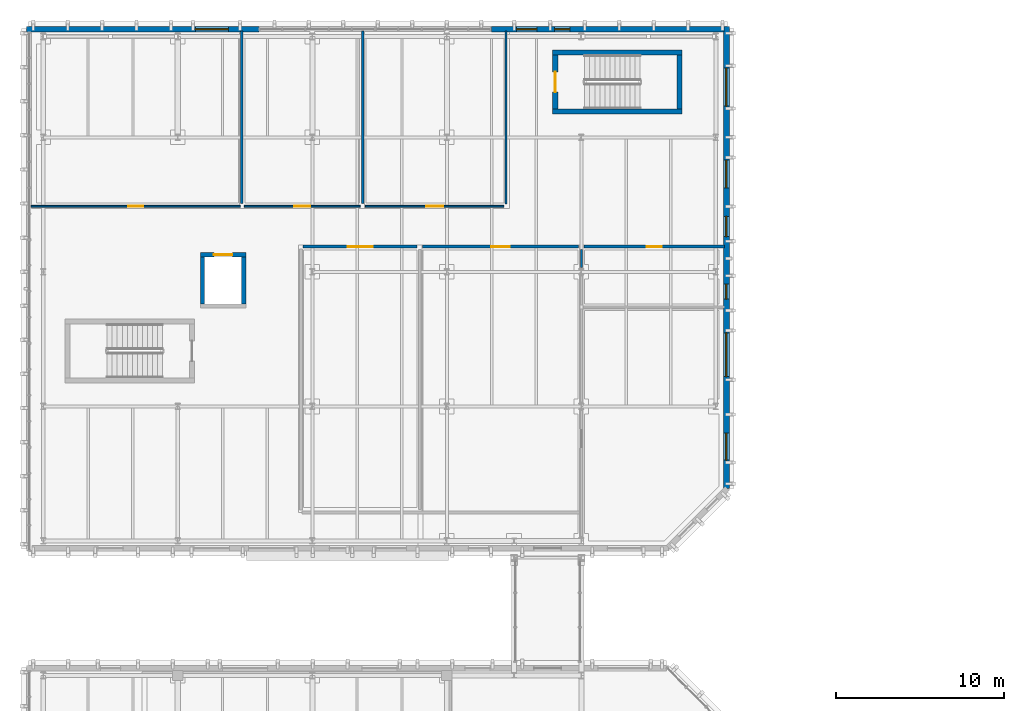
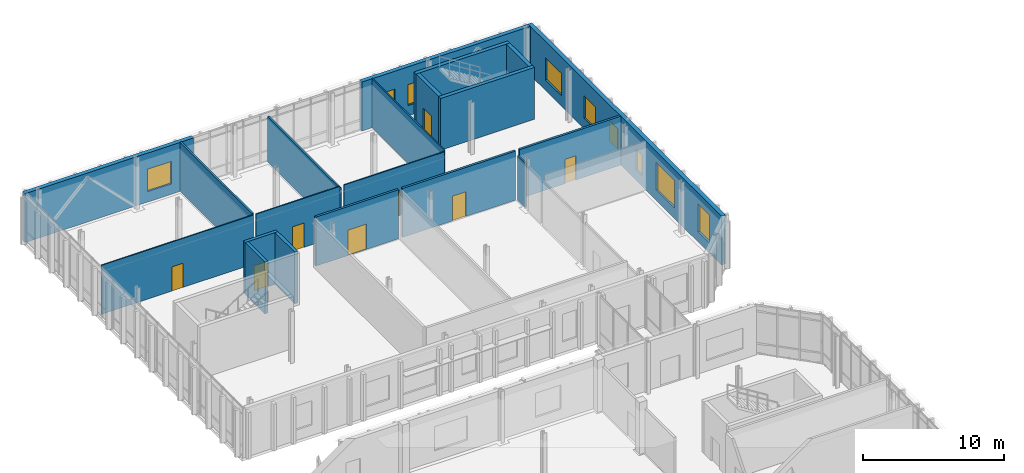
# One storey, part 64 of 86: 20 walls, 9 windows, 8 doors, 17 openings.
"""IFC4 building model written with IfcOpenShell, lengths in metres."""

from ifc_helpers import new_model, si_unit, direction, frame, frame_2d, origin, place, context, subcontext, project, spatial, rectangle, extrude, material, layer, layer_set, type_object, element, fill, save


model = new_model("IFC4")

# Units and contexts
model_context = context("Model", 3, precision=1e-05, world=origin(), true_north=direction((0.0, 1.0)))
body_context = subcontext(model_context, "Body", "Model", "MODEL_VIEW")
ifc_project = project(units=[si_unit("LENGTHUNIT", "METRE"), si_unit("AREAUNIT", "SQUARE_METRE"), si_unit("VOLUMEUNIT", "CUBIC_METRE"), si_unit("PLANEANGLEUNIT", "RADIAN"), si_unit("MASSUNIT", "GRAM", prefix="KILO")], contexts=[model_context])

# Site, building, storey
site_placement = place(None, origin())
site = spatial("IfcSite", under=ifc_project, at=site_placement, CompositionType="ELEMENT")
building_placement = place(site_placement, origin())
building = spatial("IfcBuilding", under=site, at=building_placement, Name="Cymarion Research Institute", CompositionType="ELEMENT")
storey_placement = place(building_placement, frame((0.0, 0.0, 13.800048828125)))
storey = spatial("IfcBuildingStorey", under=building, at=storey_placement, Name="L03", CompositionType="ELEMENT", Elevation=13.800048828125)

# Wall, openings, windows
ifc_material_1 = material(Name="Precast concrete C40/50", Category="concrete")
ifc_layer_1 = layer(ifc_material_1, 0.340087890625)
ifc_layer_set_1 = layer_set([ifc_layer_1], Name="Precast concrete C40/50")
wall_type_1 = type_object("IfcWallType", Name="EXTERIOR WALL EW-PC340 340MM", PredefinedType="SOLIDWALL", material=ifc_layer_set_1)
wall_1_placement = place(storey_placement, frame((47.22998046875, 88.622802734375, 0.0), z_axis=(0.0, 0.0, 1.0), x_axis=(0.0, 1.0, 0.0)))
wall_1 = element("IfcWall", 1, at=wall_1_placement, inside=storey, type_object=wall_type_1, Name="L03 V5 exterior wall EW-PC340 #192", PredefinedType="SOLIDWALL", context=body_context, shape_type="SweptSolid", body=[
    extrude(rectangle(XDim=27.477294921875, YDim=0.340087890625, at=frame_2d((13.73876953125, 0.0))), origin(), (0.0, 0.0, 1.0), 4.25),
])
opening_1_placement = place(wall_1_placement, frame((1.68896484375, 0.0, 0.89990234375)))
opening_1 = element("IfcOpeningElement", 2, at=opening_1_placement, cuts=wall_1, Name="Opening W20", PredefinedType="OPENING", context=body_context, shape_type="SweptSolid", body=[
    extrude(rectangle(XDim=1.60009765625, YDim=2.39990234375, at=frame_2d((0.800048828125, 1.199951171875))), frame((0.0, 0.179931640625, 0.0), z_axis=(0.0, -1.0, 0.0), x_axis=(1.0, 0.0, 0.0)), (0.0, 0.0, 1.0), 0.360107421875),
])
opening_2_placement = place(wall_1_placement, frame((6.64697265625, 0.0, 0.89990234375)))
opening_2 = element("IfcOpeningElement", 3, at=opening_2_placement, cuts=wall_1, Name="Opening W22", PredefinedType="OPENING", context=body_context, shape_type="SweptSolid", body=[
    extrude(rectangle(XDim=2.60009765625, YDim=2.39990234375, at=frame_2d((1.300048828125, 1.199951171875))), frame((0.0, 0.179931640625, 0.0), z_axis=(0.0, -1.0, 0.0), x_axis=(1.0, 0.0, 0.0)), (0.0, 0.0, 1.0), 0.360107421875),
])
opening_3_placement = place(wall_1_placement, frame((11.257080078125, 0.0, 0.89990234375)))
opening_3 = element("IfcOpeningElement", 4, at=opening_3_placement, cuts=wall_1, Name="Opening W24", PredefinedType="OPENING", context=body_context, shape_type="SweptSolid", body=[
    extrude(rectangle(XDim=0.89990234375, YDim=1.800048828125, at=frame_2d((0.449951171875, 0.89990234375))), frame((0.0, 0.179931640625, 0.0), z_axis=(0.0, -1.0, 0.0), x_axis=(1.0, 0.0, 0.0)), (0.0, 0.0, 1.0), 0.360107421875),
])
opening_4_placement = place(wall_1_placement, frame((14.97705078125, 0.0, 0.89990234375)))
opening_4 = element("IfcOpeningElement", 5, at=opening_4_placement, cuts=wall_1, Name="Opening W01", PredefinedType="OPENING", context=body_context, shape_type="SweptSolid", body=[
    extrude(rectangle(XDim=1.199951171875, YDim=1.800048828125, at=frame_2d((0.60009765625, 0.89990234375))), frame((0.0, 0.179931640625, 0.0), z_axis=(0.0, -1.0, 0.0), x_axis=(1.0, 0.0, 0.0)), (0.0, 0.0, 1.0), 0.360107421875),
])
opening_5_placement = place(wall_1_placement, frame((17.882080078125, 0.0, 0.89990234375)))
opening_5 = element("IfcOpeningElement", 6, at=opening_5_placement, cuts=wall_1, Name="Opening W28", PredefinedType="OPENING", context=body_context, shape_type="SweptSolid", body=[
    extrude(rectangle(XDim=1.64990234375, YDim=1.949951171875, at=frame_2d((0.824951171875, 0.97509765625))), frame((0.0, 0.179931640625, 0.0), z_axis=(0.0, -1.0, 0.0), x_axis=(1.0, 0.0, 0.0)), (0.0, 0.0, 1.0), 0.360107421875),
])
opening_6_placement = place(wall_1_placement, frame((22.741943359375, 0.0, 0.89990234375)))
opening_6 = element("IfcOpeningElement", 7, at=opening_6_placement, cuts=wall_1, Name="Opening W30", PredefinedType="OPENING", context=body_context, shape_type="SweptSolid", body=[
    extrude(rectangle(XDim=2.25, YDim=1.949951171875, at=frame_2d((1.125, 0.97509765625))), frame((0.0, 0.179931640625, 0.0), z_axis=(0.0, -1.0, 0.0), x_axis=(1.0, 0.0, 0.0)), (0.0, 0.0, 1.0), 0.360107421875),
])
ifc_material_2 = material(Name="Thermally broken aluminium window with Low-E glazing", Category="aluminium")
window_type_1 = type_object("IfcWindowType", Name="THERMALLY BROKEN ALUMINIUM WINDOW W01 1200X1800", PartitioningType="SINGLE_PANEL", PredefinedType="WINDOW", material=ifc_material_2)
window_1_placement = place(opening_4_placement, origin())
window_1 = element("IfcWindow", 8, at=window_1_placement, inside=storey, type_object=window_type_1, Name="L03 V5 facade window W01 #357", OverallHeight=1.800048828125, OverallWidth=1.199951171875, PartitioningType="SINGLE_PANEL", PredefinedType="WINDOW", context=body_context, shape_type="SweptSolid", body=[
    extrude(rectangle(XDim=1.199951171875, YDim=1.800048828125, at=frame_2d((0.60009765625, 0.89990234375))), frame((0.0, 0.030029296875, 0.0), z_axis=(0.0, -1.0, 0.0), x_axis=(1.0, 0.0, 0.0)), (0.0, 0.0, 1.0), 0.06005859375),
])
fill(opening_4, window_1)
window_type_2 = type_object("IfcWindowType", Name="THERMALLY BROKEN ALUMINIUM WINDOW W20 1600X2400", PartitioningType="DOUBLE_PANEL_VERTICAL", PredefinedType="WINDOW", material=ifc_material_2)
window_2_placement = place(opening_1_placement, origin())
window_2 = element("IfcWindow", 9, at=window_2_placement, inside=storey, type_object=window_type_2, Name="L03 V5 facade window W20 #354", OverallHeight=2.39990234375, OverallWidth=1.60009765625, PartitioningType="SINGLE_PANEL", PredefinedType="WINDOW", context=body_context, shape_type="SweptSolid", body=[
    extrude(rectangle(XDim=1.60009765625, YDim=2.39990234375, at=frame_2d((0.800048828125, 1.199951171875))), frame((0.0, 0.030029296875, 0.0), z_axis=(0.0, -1.0, 0.0), x_axis=(1.0, 0.0, 0.0)), (0.0, 0.0, 1.0), 0.06005859375),
])
fill(opening_1, window_2)
window_type_3 = type_object("IfcWindowType", Name="THERMALLY BROKEN ALUMINIUM WINDOW W22 2600X2400", PartitioningType="TRIPLE_PANEL_VERTICAL", PredefinedType="WINDOW", material=ifc_material_2)
window_3_placement = place(opening_2_placement, origin())
window_3 = element("IfcWindow", 10, at=window_3_placement, inside=storey, type_object=window_type_3, Name="L03 V5 facade window W22 #355", OverallHeight=2.39990234375, OverallWidth=2.60009765625, PartitioningType="SINGLE_PANEL", PredefinedType="WINDOW", context=body_context, shape_type="SweptSolid", body=[
    extrude(rectangle(XDim=2.60009765625, YDim=2.39990234375, at=frame_2d((1.300048828125, 1.199951171875))), frame((0.0, 0.030029296875, 0.0), z_axis=(0.0, -1.0, 0.0), x_axis=(1.0, 0.0, 0.0)), (0.0, 0.0, 1.0), 0.06005859375),
])
fill(opening_2, window_3)
window_type_4 = type_object("IfcWindowType", Name="THERMALLY BROKEN ALUMINIUM WINDOW W24 900X1800", PartitioningType="SINGLE_PANEL", PredefinedType="WINDOW", material=ifc_material_2)
window_4_placement = place(opening_3_placement, origin())
window_4 = element("IfcWindow", 11, at=window_4_placement, inside=storey, type_object=window_type_4, Name="L03 V5 facade window W24 #356", OverallHeight=1.800048828125, OverallWidth=0.89990234375, PartitioningType="SINGLE_PANEL", PredefinedType="WINDOW", context=body_context, shape_type="SweptSolid", body=[
    extrude(rectangle(XDim=0.89990234375, YDim=1.800048828125, at=frame_2d((0.449951171875, 0.89990234375))), frame((0.0, 0.030029296875, 0.0), z_axis=(0.0, -1.0, 0.0), x_axis=(1.0, 0.0, 0.0)), (0.0, 0.0, 1.0), 0.06005859375),
])
fill(opening_3, window_4)
window_type_5 = type_object("IfcWindowType", Name="THERMALLY BROKEN ALUMINIUM WINDOW W28 1650X1950", PartitioningType="DOUBLE_PANEL_VERTICAL", PredefinedType="WINDOW", material=ifc_material_2)
window_5_placement = place(opening_5_placement, origin())
window_5 = element("IfcWindow", 12, at=window_5_placement, inside=storey, type_object=window_type_5, Name="L03 V5 facade window W28 #358", OverallHeight=1.949951171875, OverallWidth=1.64990234375, PartitioningType="SINGLE_PANEL", PredefinedType="WINDOW", context=body_context, shape_type="SweptSolid", body=[
    extrude(rectangle(XDim=1.64990234375, YDim=1.949951171875, at=frame_2d((0.824951171875, 0.97509765625))), frame((0.0, 0.030029296875, 0.0), z_axis=(0.0, -1.0, 0.0), x_axis=(1.0, 0.0, 0.0)), (0.0, 0.0, 1.0), 0.06005859375),
])
fill(opening_5, window_5)
window_type_6 = type_object("IfcWindowType", Name="THERMALLY BROKEN ALUMINIUM WINDOW W30 2250X1950", PartitioningType="DOUBLE_PANEL_VERTICAL", PredefinedType="WINDOW", material=ifc_material_2)
window_6_placement = place(opening_6_placement, origin())
window_6 = element("IfcWindow", 13, at=window_6_placement, inside=storey, type_object=window_type_6, Name="L03 V5 facade window W30 #359", OverallHeight=1.949951171875, OverallWidth=2.25, PartitioningType="SINGLE_PANEL", PredefinedType="WINDOW", context=body_context, shape_type="SweptSolid", body=[
    extrude(rectangle(XDim=2.25, YDim=1.949951171875, at=frame_2d((1.125, 0.97509765625))), frame((0.0, 0.030029296875, 0.0), z_axis=(0.0, -1.0, 0.0), x_axis=(1.0, 0.0, 0.0)), (0.0, 0.0, 1.0), 0.06005859375),
])
fill(opening_6, window_6)

wall_2_placement = place(storey_placement, frame((47.077880859375, 115.929931640625, 0.0), z_axis=(0.0, 0.0, 1.0), x_axis=(-1.0, 0.0, 0.0)))
wall_2 = element("IfcWall", 14, at=wall_2_placement, inside=storey, type_object=wall_type_1, Name="L03 V5 facade pier wall EW-PC340 #193", PredefinedType="SOLIDWALL", context=body_context, shape_type="SweptSolid", body=[
    extrude(rectangle(XDim=13.825927734375, YDim=0.340087890625, at=frame_2d((6.9130859375, 0.0))), origin(), (0.0, 0.0, 1.0), 4.25),
])
opening_7_placement = place(wall_2_placement, frame((9.157958984375, 0.0, 0.89990234375)))
opening_7 = element("IfcOpeningElement", 15, at=opening_7_placement, cuts=wall_2, Name="Opening W24", PredefinedType="OPENING", context=body_context, shape_type="SweptSolid", body=[
    extrude(rectangle(XDim=0.89990234375, YDim=1.800048828125, at=frame_2d((0.449951171875, 0.89990234375))), frame((0.0, 0.179931640625, 0.0), z_axis=(0.0, -1.0, 0.0), x_axis=(1.0, 0.0, 0.0)), (0.0, 0.0, 1.0), 0.360107421875),
])
opening_8_placement = place(wall_2_placement, frame((11.117919921875, 0.0, 0.89990234375)))
opening_8 = element("IfcOpeningElement", 16, at=opening_8_placement, cuts=wall_2, Name="Opening W01", PredefinedType="OPENING", context=body_context, shape_type="SweptSolid", body=[
    extrude(rectangle(XDim=1.199951171875, YDim=1.800048828125, at=frame_2d((0.60009765625, 0.89990234375))), frame((0.0, 0.179931640625, 0.0), z_axis=(0.0, -1.0, 0.0), x_axis=(1.0, 0.0, 0.0)), (0.0, 0.0, 1.0), 0.360107421875),
])
window_7_placement = place(opening_8_placement, origin())
window_7 = element("IfcWindow", 17, at=window_7_placement, inside=storey, type_object=window_type_1, Name="L03 V5 facade window W01 #361", OverallHeight=1.800048828125, OverallWidth=1.199951171875, PartitioningType="SINGLE_PANEL", PredefinedType="WINDOW", context=body_context, shape_type="SweptSolid", body=[
    extrude(rectangle(XDim=1.199951171875, YDim=1.800048828125, at=frame_2d((0.60009765625, 0.89990234375))), frame((0.0, 0.030029296875, 0.0), z_axis=(0.0, -1.0, 0.0), x_axis=(1.0, 0.0, 0.0)), (0.0, 0.0, 1.0), 0.06005859375),
])
fill(opening_8, window_7)
window_8_placement = place(opening_7_placement, origin())
window_8 = element("IfcWindow", 18, at=window_8_placement, inside=storey, type_object=window_type_4, Name="L03 V5 facade window W24 #360", OverallHeight=1.800048828125, OverallWidth=0.89990234375, PartitioningType="SINGLE_PANEL", PredefinedType="WINDOW", context=body_context, shape_type="SweptSolid", body=[
    extrude(rectangle(XDim=0.89990234375, YDim=1.800048828125, at=frame_2d((0.449951171875, 0.89990234375))), frame((0.0, 0.030029296875, 0.0), z_axis=(0.0, -1.0, 0.0), x_axis=(1.0, 0.0, 0.0)), (0.0, 0.0, 1.0), 0.06005859375),
])
fill(opening_7, window_8)

# Wall, opening, window
wall_3_placement = place(storey_placement, frame((19.426025390625, 115.929931640625, 0.0), z_axis=(0.0, 0.0, 1.0), x_axis=(-1.0, 0.0, 0.0)))
wall_3 = element("IfcWall", 19, at=wall_3_placement, inside=storey, type_object=wall_type_1, Name="L03 V5 facade pier wall EW-PC340 #194", PredefinedType="SOLIDWALL", context=body_context, shape_type="SweptSolid", body=[
    extrude(rectangle(XDim=13.825927734375, YDim=0.340087890625, at=frame_2d((6.9130859375, 0.0))), origin(), (0.0, 0.0, 1.0), 4.25),
])
opening_9_placement = place(wall_3_placement, frame((1.821044921875, 0.0, 0.89990234375)))
opening_9 = element("IfcOpeningElement", 20, at=opening_9_placement, cuts=wall_3, Name="Opening W29", PredefinedType="OPENING", context=body_context, shape_type="SweptSolid", body=[
    extrude(rectangle(XDim=1.949951171875, YDim=1.949951171875, at=frame_2d((0.97509765625, 0.97509765625))), frame((0.0, 0.179931640625, 0.0), z_axis=(0.0, -1.0, 0.0), x_axis=(1.0, 0.0, 0.0)), (0.0, 0.0, 1.0), 0.360107421875),
])
window_type_7 = type_object("IfcWindowType", Name="THERMALLY BROKEN ALUMINIUM WINDOW W29 1950X1950", PartitioningType="DOUBLE_PANEL_VERTICAL", PredefinedType="WINDOW", material=ifc_material_2)
window_9_placement = place(opening_9_placement, origin())
window_9 = element("IfcWindow", 21, at=window_9_placement, inside=storey, type_object=window_type_7, Name="L03 V5 facade window W29 #362", OverallHeight=1.949951171875, OverallWidth=1.949951171875, PartitioningType="SINGLE_PANEL", PredefinedType="WINDOW", context=body_context, shape_type="SweptSolid", body=[
    extrude(rectangle(XDim=1.949951171875, YDim=1.949951171875, at=frame_2d((0.97509765625, 0.97509765625))), frame((0.0, 0.030029296875, 0.0), z_axis=(0.0, -1.0, 0.0), x_axis=(1.0, 0.0, 0.0)), (0.0, 0.0, 1.0), 0.06005859375),
])
fill(opening_9, window_9)

# Walls
ifc_material_3 = material(Name="Gypsum acoustic double-stud partition", Category="gypsum")
ifc_layer_2 = layer(ifc_material_3, 0.14990234375)
ifc_layer_set_2 = layer_set([ifc_layer_2], Name="Gypsum acoustic double-stud partition")
wall_type_2 = type_object("IfcWallType", Name="INTERIOR PARTITION IW-AC150 150MM", PredefinedType="PARTITIONING", material=ifc_layer_set_2)
wall_4_placement = place(storey_placement, frame((18.39990234375, 105.56005859375, 0.0), z_axis=(0.0, 0.0, 1.0), x_axis=(0.0, 1.0, 0.0)))
element("IfcWall", 22, at=wall_4_placement, inside=storey, type_object=wall_type_2, Name="L03 V5 interior partition IW-AC150 #260", PredefinedType="PARTITIONING", context=body_context, shape_type="SweptSolid", body=[
    extrude(rectangle(XDim=10.2548828125, YDim=0.14990234375, at=frame_2d((5.12744140625, 0.0))), origin(), (0.0, 0.0, 1.0), 4.25),
])
wall_5_placement = place(storey_placement, frame((25.60009765625, 105.56005859375, 0.0), z_axis=(0.0, 0.0, 1.0), x_axis=(0.0, 1.0, 0.0)))
element("IfcWall", 23, at=wall_5_placement, inside=storey, type_object=wall_type_2, Name="L03 V5 interior partition IW-AC150 #261", PredefinedType="PARTITIONING", context=body_context, shape_type="SweptSolid", body=[
    extrude(rectangle(XDim=10.2548828125, YDim=0.14990234375, at=frame_2d((5.12744140625, 0.0))), origin(), (0.0, 0.0, 1.0), 3.949951171875),
])
ifc_material_4 = material(Name="Framed acoustic glass laboratory screen", Category="glass")
ifc_layer_3 = layer(ifc_material_4, 0.10009765625)
ifc_layer_set_3 = layer_set([ifc_layer_3], Name="Framed acoustic glass laboratory screen")
wall_type_3 = type_object("IfcWallType", Name="INTERIOR PARTITION IW-GL100 100MM", PredefinedType="PARTITIONING", material=ifc_layer_set_3)
wall_6_placement = place(storey_placement, frame((34.1201171875, 105.5400390625, 0.0), z_axis=(0.0, 0.0, 1.0), x_axis=(0.0, 1.0, 0.0)))
element("IfcWall", 24, at=wall_6_placement, inside=storey, type_object=wall_type_3, Name="L03 V5 interior partition IW-GL100 #262", PredefinedType="PARTITIONING", context=body_context, shape_type="SweptSolid", body=[
    extrude(rectangle(XDim=10.27490234375, YDim=0.10009765625, at=frame_2d((5.137451171875, 0.0))), origin(), (0.0, 0.0, 1.0), 4.25),
])

# Wall, opening, door
wall_7_placement = place(storey_placement, frame((5.885009765625, 105.39990234375, 0.0), z_axis=(0.0, 0.0, 1.0), x_axis=(1.0, 0.0, 0.0)))
wall_7 = element("IfcWall", 25, at=wall_7_placement, inside=storey, type_object=wall_type_3, Name="L03 V5 interior partition IW-GL100 #263", PredefinedType="PARTITIONING", context=body_context, shape_type="SweptSolid", body=[
    extrude(rectangle(XDim=12.43505859375, YDim=0.10009765625, at=frame_2d((6.217529296875, 0.0))), origin(), (0.0, 0.0, 1.0), 4.25),
])
opening_10_placement = place(wall_7_placement, frame((5.76708984375, 0.0, 0.0)))
opening_10 = element("IfcOpeningElement", 26, at=opening_10_placement, cuts=wall_7, Name="Opening D-L03-168", PredefinedType="OPENING", context=body_context, shape_type="SweptSolid", body=[
    extrude(rectangle(XDim=0.89990234375, YDim=2.10009765625, at=frame_2d((0.449951171875, 1.050048828125))), frame((0.0, 0.06005859375, 0.0), z_axis=(0.0, -1.0, 0.0), x_axis=(1.0, 0.0, 0.0)), (0.0, 0.0, 1.0), 0.1201171875),
])
ifc_material_5 = material(Name="Flush acoustic timber/steel door assembly", Category="steel")
door_type_1 = type_object("IfcDoorType", Name="RESEARCH WRITE-UP OFFICE DOOR DT-OF090 900X2100", OperationType="NOTDEFINED", PredefinedType="DOOR", material=ifc_material_5)
door_1_placement = place(opening_10_placement, origin())
door_1 = element("IfcDoor", 27, at=door_1_placement, inside=storey, type_object=door_type_1, Name="L03 Faculty Office W door D-L03-168", OperationType="SINGLE_SWING_LEFT", OverallHeight=2.10009765625, OverallWidth=0.89990234375, PredefinedType="DOOR", context=body_context, shape_type="SweptSolid", body=[
    extrude(rectangle(XDim=0.89990234375, YDim=2.10009765625, at=frame_2d((0.449951171875, 1.050048828125))), frame((0.0, 0.02490234375, 0.0), z_axis=(0.0, -1.0, 0.0), x_axis=(1.0, 0.0, 0.0)), (0.0, 0.0, 1.0), 0.050048828125),
])
fill(opening_10, door_1)

wall_8_placement = place(storey_placement, frame((18.56005859375, 105.39990234375, 0.0), z_axis=(0.0, 0.0, 1.0), x_axis=(1.0, 0.0, 0.0)))
wall_8 = element("IfcWall", 28, at=wall_8_placement, inside=storey, type_object=wall_type_3, Name="L03 V5 interior partition IW-GL100 #264", PredefinedType="PARTITIONING", context=body_context, shape_type="SweptSolid", body=[
    extrude(rectangle(XDim=6.8798828125, YDim=0.10009765625, at=frame_2d((3.43994140625, 0.0))), origin(), (0.0, 0.0, 1.0), 4.25),
])
opening_11_placement = place(wall_8_placement, frame((2.965087890625, 0.0, 0.0)))
opening_11 = element("IfcOpeningElement", 29, at=opening_11_placement, cuts=wall_8, Name="Opening D-L03-169", PredefinedType="OPENING", context=body_context, shape_type="SweptSolid", body=[
    extrude(rectangle(XDim=0.949951171875, YDim=2.10009765625, at=frame_2d((0.47509765625, 1.050048828125))), frame((0.0, 0.06005859375, 0.0), z_axis=(0.0, -1.0, 0.0), x_axis=(1.0, 0.0, 0.0)), (0.0, 0.0, 1.0), 0.1201171875),
])
door_type_2 = type_object("IfcDoorType", Name="FACULTY STUDY DOOR DT-OF095 950X2100", OperationType="NOTDEFINED", PredefinedType="DOOR", material=ifc_material_5)
door_2_placement = place(opening_11_placement, origin())
door_2 = element("IfcDoor", 30, at=door_2_placement, inside=storey, type_object=door_type_2, Name="L03 Postdoc Write-Up door D-L03-169", OperationType="SINGLE_SWING_RIGHT", OverallHeight=2.10009765625, OverallWidth=0.949951171875, PredefinedType="DOOR", context=body_context, shape_type="SweptSolid", body=[
    extrude(rectangle(XDim=0.949951171875, YDim=2.10009765625, at=frame_2d((0.47509765625, 1.050048828125))), frame((0.0, 0.02490234375, 0.0), z_axis=(0.0, -1.0, 0.0), x_axis=(1.0, 0.0, 0.0)), (0.0, 0.0, 1.0), 0.050048828125),
])
fill(opening_11, door_2)

wall_9_placement = place(storey_placement, frame((25.760009765625, 105.39990234375, 0.0), z_axis=(0.0, 0.0, 1.0), x_axis=(1.0, 0.0, 0.0)))
wall_9 = element("IfcWall", 31, at=wall_9_placement, inside=storey, type_object=wall_type_3, Name="L03 V5 interior partition IW-GL100 #265", PredefinedType="PARTITIONING", context=body_context, shape_type="SweptSolid", body=[
    extrude(rectangle(XDim=8.239990234375, YDim=0.10009765625, at=frame_2d((4.1201171875, 0.0))), origin(), (0.0, 0.0, 1.0), 4.25),
])
opening_12_placement = place(wall_9_placement, frame((3.6201171875, 0.0, 0.0)))
opening_12 = element("IfcOpeningElement", 32, at=opening_12_placement, cuts=wall_9, Name="Opening D-L03-170", PredefinedType="OPENING", context=body_context, shape_type="SweptSolid", body=[
    extrude(rectangle(XDim=1.0, YDim=2.14990234375, at=frame_2d((0.5, 1.074951171875))), frame((0.0, 0.06005859375, 0.0), z_axis=(0.0, -1.0, 0.0), x_axis=(1.0, 0.0, 0.0)), (0.0, 0.0, 1.0), 0.1201171875),
])
door_type_3 = type_object("IfcDoorType", Name="LABORATORY SINGLE LEAF DOOR DT-LB100 1000X2150", OperationType="NOTDEFINED", PredefinedType="DOOR", material=ifc_material_5)
door_3_placement = place(opening_12_placement, origin())
door_3 = element("IfcDoor", 33, at=door_3_placement, inside=storey, type_object=door_type_3, Name="L03 AI Visualization Lab door D-L03-170", OperationType="SINGLE_SWING_LEFT", OverallHeight=2.14990234375, OverallWidth=1.0, PredefinedType="DOOR", context=body_context, shape_type="SweptSolid", body=[
    extrude(rectangle(XDim=1.0, YDim=2.14990234375, at=frame_2d((0.5, 1.074951171875))), frame((0.0, 0.02490234375, 0.0), z_axis=(0.0, -1.0, 0.0), x_axis=(1.0, 0.0, 0.0)), (0.0, 0.0, 1.0), 0.050048828125),
])
fill(opening_12, door_3)

ifc_material_6 = material(Name="Moisture-resistant laboratory partition", Category="gypsum")
ifc_layer_4 = layer(ifc_material_6, 0.179931640625)
ifc_layer_set_4 = layer_set([ifc_layer_4], Name="Moisture-resistant laboratory partition")
wall_type_4 = type_object("IfcWallType", Name="INTERIOR PARTITION IW-LB180 180MM", PredefinedType="PARTITIONING", material=ifc_layer_set_4)
wall_10_placement = place(storey_placement, frame((22.050048828125, 103.0, 0.0), z_axis=(0.0, 0.0, 1.0), x_axis=(1.0, 0.0, 0.0)))
wall_10 = element("IfcWall", 34, at=wall_10_placement, inside=storey, type_object=wall_type_4, Name="L03 V5 interior partition IW-LB180 #257", PredefinedType="PARTITIONING", context=body_context, shape_type="SweptSolid", body=[
    extrude(rectangle(XDim=6.7900390625, YDim=0.179931640625, at=frame_2d((3.39501953125, 0.0))), origin(), (0.0, 0.0, 1.0), 4.25),
])
opening_13_placement = place(wall_10_placement, frame((2.64501953125, 0.0, 0.0)))
opening_13 = element("IfcOpeningElement", 35, at=opening_13_placement, cuts=wall_10, Name="Opening D-L03-165", PredefinedType="OPENING", context=body_context, shape_type="SweptSolid", body=[
    extrude(rectangle(XDim=1.5, YDim=2.199951171875, at=frame_2d((0.75, 1.10009765625))), frame((0.0, 0.099853515625, 0.0), z_axis=(0.0, -1.0, 0.0), x_axis=(1.0, 0.0, 0.0)), (0.0, 0.0, 1.0), 0.199951171875),
])
door_type_4 = type_object("IfcDoorType", Name="LABORATORY EQUIPMENT DOUBLE DOOR DT-LB150 1500X2200", OperationType="DOUBLE_DOOR_SINGLE_SWING", PredefinedType="DOOR", material=ifc_material_5)
door_4_placement = place(opening_13_placement, origin())
door_4 = element("IfcDoor", 36, at=door_4_placement, inside=storey, type_object=door_type_4, Name="L03 Dry Lab 1 door D-L03-165", OperationType="DOUBLE_DOOR_SINGLE_SWING", OverallHeight=2.199951171875, OverallWidth=1.5, PredefinedType="DOOR", context=body_context, shape_type="SweptSolid", body=[
    extrude(rectangle(XDim=1.5, YDim=2.199951171875, at=frame_2d((0.75, 1.10009765625))), frame((0.0, 0.02490234375, 0.0), z_axis=(0.0, -1.0, 0.0), x_axis=(1.0, 0.0, 0.0)), (0.0, 0.0, 1.0), 0.050048828125),
])
fill(opening_13, door_4)

wall_11_placement = place(storey_placement, frame((29.159912109375, 103.0, 0.0), z_axis=(0.0, 0.0, 1.0), x_axis=(1.0, 0.0, 0.0)))
wall_11 = element("IfcWall", 37, at=wall_11_placement, inside=storey, type_object=wall_type_4, Name="L03 V5 interior partition IW-LB180 #258", PredefinedType="PARTITIONING", context=body_context, shape_type="SweptSolid", body=[
    extrude(rectangle(XDim=9.280029296875, YDim=0.179931640625, at=frame_2d((4.64013671875, 0.0))), origin(), (0.0, 0.0, 1.0), 4.25),
])
opening_14_placement = place(wall_11_placement, frame((4.090087890625, 0.0, 0.0)))
opening_14 = element("IfcOpeningElement", 38, at=opening_14_placement, cuts=wall_11, Name="Opening D-L03-166", PredefinedType="OPENING", context=body_context, shape_type="SweptSolid", body=[
    extrude(rectangle(XDim=1.10009765625, YDim=2.14990234375, at=frame_2d((0.550048828125, 1.074951171875))), frame((0.0, 0.099853515625, 0.0), z_axis=(0.0, -1.0, 0.0), x_axis=(1.0, 0.0, 0.0)), (0.0, 0.0, 1.0), 0.199951171875),
])
door_type_5 = type_object("IfcDoorType", Name="LABORATORY WIDE SINGLE DOOR DT-LB110 1100X2150", OperationType="NOTDEFINED", PredefinedType="DOOR", material=ifc_material_5)
door_5_placement = place(opening_14_placement, origin())
door_5 = element("IfcDoor", 39, at=door_5_placement, inside=storey, type_object=door_type_5, Name="L03 Server Cluster door D-L03-166", OperationType="SINGLE_SWING_LEFT", OverallHeight=2.14990234375, OverallWidth=1.10009765625, PredefinedType="DOOR", context=body_context, shape_type="SweptSolid", body=[
    extrude(rectangle(XDim=1.10009765625, YDim=2.14990234375, at=frame_2d((0.550048828125, 1.074951171875))), frame((0.0, 0.02490234375, 0.0), z_axis=(0.0, -1.0, 0.0), x_axis=(1.0, 0.0, 0.0)), (0.0, 0.0, 1.0), 0.050048828125),
])
fill(opening_14, door_5)

wall_12_placement = place(storey_placement, frame((38.760009765625, 103.0, 0.0), z_axis=(0.0, 0.0, 1.0), x_axis=(1.0, 0.0, 0.0)))
wall_12 = element("IfcWall", 40, at=wall_12_placement, inside=storey, type_object=wall_type_4, Name="L03 V5 interior partition IW-LB180 #259", PredefinedType="PARTITIONING", context=body_context, shape_type="SweptSolid", body=[
    extrude(rectangle(XDim=8.35498046875, YDim=0.179931640625, at=frame_2d((4.177490234375, 0.0))), origin(), (0.0, 0.0, 1.0), 4.25),
])
opening_15_placement = place(wall_12_placement, frame((3.72802734375, 0.0, 0.0)))
opening_15 = element("IfcOpeningElement", 41, at=opening_15_placement, cuts=wall_12, Name="Opening D-L03-167", PredefinedType="OPENING", context=body_context, shape_type="SweptSolid", body=[
    extrude(rectangle(XDim=0.89990234375, YDim=2.10009765625, at=frame_2d((0.449951171875, 1.050048828125))), frame((0.0, 0.099853515625, 0.0), z_axis=(0.0, -1.0, 0.0), x_axis=(1.0, 0.0, 0.0)), (0.0, 0.0, 1.0), 0.199951171875),
])
door_type_6 = type_object("IfcDoorType", Name="ACCESSIBLE RESTROOM DOOR DT-WC090 900X2100", OperationType="NOTDEFINED", PredefinedType="DOOR", material=ifc_material_5)
door_6_placement = place(opening_15_placement, origin())
door_6 = element("IfcDoor", 42, at=door_6_placement, inside=storey, type_object=door_type_6, Name="L03 Restroom door D-L03-167", OperationType="SINGLE_SWING_RIGHT", OverallHeight=2.10009765625, OverallWidth=0.89990234375, PredefinedType="DOOR", context=body_context, shape_type="SweptSolid", body=[
    extrude(rectangle(XDim=0.89990234375, YDim=2.10009765625, at=frame_2d((0.449951171875, 1.050048828125))), frame((0.0, 0.02490234375, 0.0), z_axis=(0.0, -1.0, 0.0), x_axis=(1.0, 0.0, 0.0)), (0.0, 0.0, 1.0), 0.050048828125),
])
fill(opening_15, door_6)

# Wall
ifc_material_7 = material(Name="Service riser shaft wall", Category="gypsum")
ifc_layer_5 = layer(ifc_material_7, 0.1201171875)
ifc_layer_set_5 = layer_set([ifc_layer_5], Name="Service riser shaft wall")
wall_type_5 = type_object("IfcWallType", Name="INTERIOR PARTITION IW-SH120 120MM", PredefinedType="PARTITIONING", material=ifc_layer_set_5)
wall_13_placement = place(storey_placement, frame((38.60009765625, 101.75, 0.0), z_axis=(0.0, 0.0, 1.0), x_axis=(0.0, 1.0, 0.0)))
element("IfcWall", 43, at=wall_13_placement, inside=storey, type_object=wall_type_5, Name="L03 V5 interior partition IW-SH120 #256", PredefinedType="PARTITIONING", context=body_context, shape_type="SweptSolid", body=[
    extrude(rectangle(XDim=1.090087890625, YDim=0.1201171875, at=frame_2d((0.544921875, 0.0))), origin(), (0.0, 0.0, 1.0), 3.849853515625),
])

# Wall, opening, door
ifc_material_8 = material(Name="Concrete C40/50", Category="concrete")
ifc_layer_6 = layer(ifc_material_8, 0.25)
ifc_layer_set_6 = layer_set([ifc_layer_6], Name="Concrete C40/50")
wall_type_6 = type_object("IfcWallType", Name="REINFORCED CONCRETE CORE WALL CW-SH250 250MM", PredefinedType="SHEAR", material=ifc_layer_set_6)
wall_14_placement = place(storey_placement, frame((18.64990234375, 102.52490234375, 0.0), z_axis=(0.0, 0.0, 1.0), x_axis=(-1.0, 0.0, 0.0)))
wall_14 = element("IfcWall", 44, at=wall_14_placement, inside=storey, type_object=wall_type_6, Name="L03 LSH-LP5-L03 north core wall", PredefinedType="SHEAR", context=body_context, shape_type="SweptSolid", body=[
    extrude(rectangle(XDim=2.699951171875, YDim=0.25, at=frame_2d((1.35009765625, 0.0))), origin(), (0.0, 0.0, 1.0), 4.5),
])
opening_16_placement = place(wall_14_placement, frame((0.800048828125, 0.0, 0.0)))
opening_16 = element("IfcOpeningElement", 45, at=opening_16_placement, cuts=wall_14, Name="Opening LD-LP5-L03", PredefinedType="OPENING", context=body_context, shape_type="SweptSolid", body=[
    extrude(rectangle(XDim=1.10009765625, YDim=2.14990234375, at=frame_2d((0.550048828125, 1.074951171875))), frame((0.0, 0.135009765625, 0.0), z_axis=(0.0, -1.0, 0.0), x_axis=(1.0, 0.0, 0.0)), (0.0, 0.0, 1.0), 0.27001953125),
])
ifc_material_9 = material(Name="Fire-rated insulated steel door assembly", Category="steel")
door_type_7 = type_object("IfcDoorType", Name="SLIDING LIFT LANDING DOOR DT-LD110 1100X2150", OperationType="DOUBLE_DOOR_SLIDING", PredefinedType="DOOR", material=ifc_material_9)
door_7_placement = place(opening_16_placement, origin())
door_7 = element("IfcDoor", 46, at=door_7_placement, inside=storey, type_object=door_type_7, Name="Lift LP5 landing door L03", OperationType="DOUBLE_DOOR_SLIDING", OverallHeight=2.14990234375, OverallWidth=1.10009765625, PredefinedType="DOOR", context=body_context, shape_type="SweptSolid", body=[
    extrude(rectangle(XDim=1.10009765625, YDim=2.14990234375, at=frame_2d((0.550048828125, 1.074951171875))), frame((0.0, 0.02490234375, 0.0), z_axis=(0.0, -1.0, 0.0), x_axis=(1.0, 0.0, 0.0)), (0.0, 0.0, 1.0), 0.050048828125),
])
fill(opening_16, door_7)

# Walls
for number, where, z_axis, x_axis, name in (
    (47, (16.074951171875, 102.39990234375, 0.0), (0.0, 0.0, 1.0), (0.0, -1.0, 0.0), "L03 LSH-LP5-L03 west core wall"),
    (48, (18.52490234375, 99.60009765625, 0.0), (0.0, 0.0, 1.0), (0.0, 1.0, 0.0), "L03 LSH-LP5-L03 east core wall"),
):
    element("IfcWall", number, at=place(storey_placement, frame(where, z_axis=z_axis, x_axis=x_axis)), inside=storey, type_object=wall_type_6, Name=name, PredefinedType="SHEAR", context=body_context, shape_type="SweptSolid", body=[
        extrude(rectangle(XDim=2.7998046875, YDim=0.25, at=frame_2d((1.39990234375, 0.0))), origin(), (0.0, 0.0, 1.0), 4.5),
    ])
ifc_layer_7 = layer(ifc_material_8, 0.300048828125)
ifc_layer_set_7 = layer_set([ifc_layer_7], Name="Concrete C40/50")
wall_type_7 = type_object("IfcWallType", Name="REINFORCED CONCRETE CORE WALL CW-SH300 300MM", PredefinedType="SHEAR", material=ifc_layer_set_7)
for number, where, z_axis, x_axis, name in (
    (49, (36.89990234375, 111.050048828125, 0.0), (0.0, 0.0, 1.0), (1.0, 0.0, 0.0), "L03 SHW-C10-L03 south core wall"),
    (50, (44.60009765625, 114.550048828125, 0.0), (0.0, 0.0, 1.0), (-1.0, 0.0, 0.0), "L03 SHW-C10-L03 north core wall"),
):
    element("IfcWall", number, at=place(storey_placement, frame(where, z_axis=z_axis, x_axis=x_axis)), inside=storey, type_object=wall_type_7, Name=name, PredefinedType="SHEAR", context=body_context, shape_type="SweptSolid", body=[
        extrude(rectangle(XDim=7.7001953125, YDim=0.300048828125, at=frame_2d((3.85009765625, 0.0))), origin(), (0.0, 0.0, 1.0), 4.5),
    ])

# Wall, opening, door
wall_15_placement = place(storey_placement, frame((37.050048828125, 114.39990234375, 0.0), z_axis=(0.0, 0.0, 1.0), x_axis=(0.0, -1.0, 0.0)))
wall_15 = element("IfcWall", 51, at=wall_15_placement, inside=storey, type_object=wall_type_7, Name="L03 SHW-C10-L03 west core wall", PredefinedType="SHEAR", context=body_context, shape_type="SweptSolid", body=[
    extrude(rectangle(XDim=3.199951171875, YDim=0.300048828125, at=frame_2d((1.60009765625, 0.0))), origin(), (0.0, 0.0, 1.0), 4.5),
])
opening_17_placement = place(wall_15_placement, frame((1.0, 0.0, 0.0)))
opening_17 = element("IfcOpeningElement", 52, at=opening_17_placement, cuts=wall_15, Name="Opening FD-L03-ST10", PredefinedType="OPENING", context=body_context, shape_type="SweptSolid", body=[
    extrude(rectangle(XDim=1.199951171875, YDim=2.14990234375, at=frame_2d((0.60009765625, 1.074951171875))), frame((0.0, 0.159912109375, 0.0), z_axis=(0.0, -1.0, 0.0), x_axis=(1.0, 0.0, 0.0)), (0.0, 0.0, 1.0), 0.320068359375),
])
door_type_8 = type_object("IfcDoorType", Name="SMOKE PROOF STAIR FIRE DOOR DT-ST120 1200X2150", OperationType="NOTDEFINED", PredefinedType="DOOR", material=ifc_material_9)
door_8_placement = place(opening_17_placement, origin())
door_8 = element("IfcDoor", 53, at=door_8_placement, inside=storey, type_object=door_type_8, Name="L03 ST10 smoke-proof stair door FD-L03-ST10", OperationType="SINGLE_SWING_RIGHT", OverallHeight=2.14990234375, OverallWidth=1.199951171875, PredefinedType="DOOR", context=body_context, shape_type="SweptSolid", body=[
    extrude(rectangle(XDim=1.199951171875, YDim=2.14990234375, at=frame_2d((0.60009765625, 1.074951171875))), frame((0.0, 0.02490234375, 0.0), z_axis=(0.0, -1.0, 0.0), x_axis=(1.0, 0.0, 0.0)), (0.0, 0.0, 1.0), 0.050048828125),
])
fill(opening_17, door_8)

# Wall
wall_16_placement = place(storey_placement, frame((44.449951171875, 111.199951171875, 0.0), z_axis=(0.0, 0.0, 1.0), x_axis=(0.0, 1.0, 0.0)))
element("IfcWall", 54, at=wall_16_placement, inside=storey, type_object=wall_type_7, Name="L03 SHW-C10-L03 east core wall", PredefinedType="SHEAR", context=body_context, shape_type="SweptSolid", body=[
    extrude(rectangle(XDim=3.199951171875, YDim=0.300048828125, at=frame_2d((1.60009765625, 0.0))), origin(), (0.0, 0.0, 1.0), 4.5),
])

save(model, "model.ifc")
